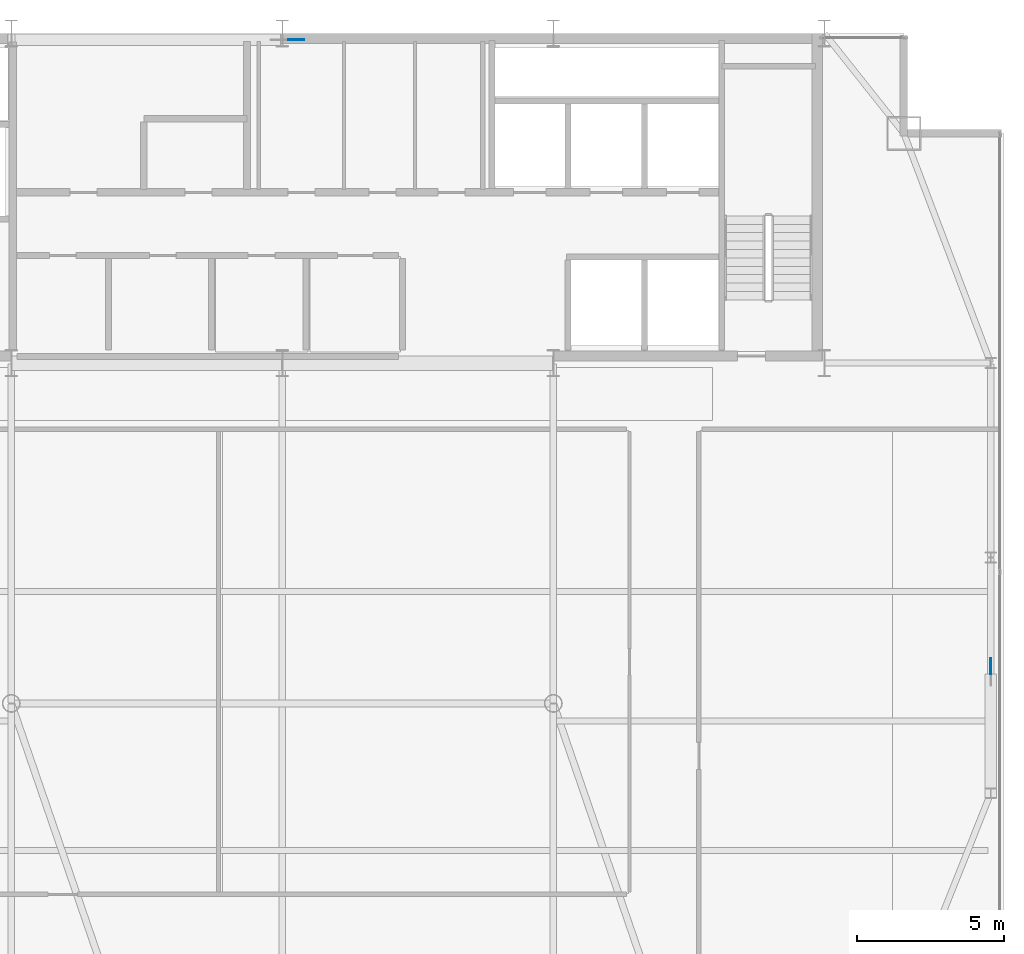
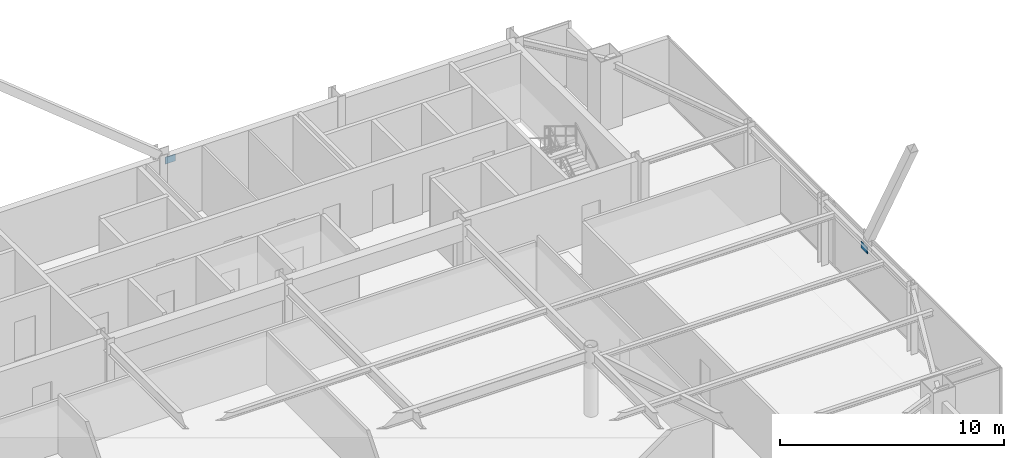
# One storey, part 23 of 27: 2 plates.
"""IFC4 building model written with IfcOpenShell, lengths in metres."""

from ifc_helpers import new_model, si_unit, direction, frame, origin, origin_2d, place, context, subcontext, project, spatial, rectangle, extrude, source, transform, mapped, material, layer, layer_set, type_object, type_shapes, element, save


model = new_model("IFC4")

# Units and contexts
model_context = context("Model", 3, precision=1e-05, world=origin(), true_north=direction((0.0, 1.0)))
body_context = subcontext(model_context, "Body", "Model", "MODEL_VIEW")
ifc_project = project(units=[si_unit("LENGTHUNIT", "METRE"), si_unit("AREAUNIT", "SQUARE_METRE"), si_unit("VOLUMEUNIT", "CUBIC_METRE"), si_unit("PLANEANGLEUNIT", "RADIAN"), si_unit("MASSUNIT", "GRAM", prefix="KILO")], contexts=[model_context])

# Site, building, storey
site_placement = place(None, origin())
site = spatial("IfcSite", under=ifc_project, at=site_placement, CompositionType="ELEMENT")
building_placement = place(site_placement, origin())
building = spatial("IfcBuilding", under=site, at=building_placement, Name="Varnel Quay Broadcast Tower", CompositionType="ELEMENT")
storey_placement = place(building_placement, frame((0.0, 0.0, 203.60009765625)))
storey = spatial("IfcBuildingStorey", under=building, at=storey_placement, Name="L50", CompositionType="ELEMENT", Elevation=203.60009765625)

# Plates
ifc_material = material(Name="Structural Steel CSA G40.21 350WT", Category="steel")
ifc_layer = layer(ifc_material, 0.031982421875, Name="Structural Steel CSA G40.21 350WT")
ifc_layer_set = layer_set([ifc_layer], Name="Structural Steel CSA G40.21 350WT")
plate_type = type_object("IfcPlateType", Name="Plate_EndCap", PredefinedType="USERDEFINED", material=ifc_layer_set)
shared_shape = source(origin(), body_context, "Body", "SweptSolid", [
    extrude(rectangle(XDim=0.5400390625, YDim=0.031982421875, at=origin_2d()), origin(), (0.0, 0.0, 1.0), 0.3798828125),
])
type_shapes(plate_type, [shared_shape])
for number, where, z_axis, x_axis, name in (
    (1, (34.475830078125, 46.580078125, 3.099365234375), (0.0, 0.0, 1.0), (1.0, 0.0, 0.0), "Zone 4 Mega-Brace N-CT1 Diag B1 End Connection Plate P1"),
    (2, (58.050048828125, 25.306640625, 2.91357421875), (0.0, 0.0, 1.0), (0.0, 1.0, 0.0), "Zone 4 Mega-Brace E-FT1 Diag B1 End Connection Plate P1"),
):
    element("IfcPlate", number, at=place(storey_placement, frame(where, z_axis=z_axis, x_axis=x_axis)), inside=storey, type_object=plate_type, Name=name, ObjectType="CAP_PLATE", PredefinedType="USERDEFINED", context=body_context, shape_type="MappedRepresentation", body=[
        mapped(shared_shape, transform((0.0, 0.0, 0.0), x_axis=(1.0, 0.0, 0.0), y_axis=(0.0, 1.0, 0.0), z_axis=(0.0, 0.0, 1.0), scale=1.0)),
    ])

save(model, "model.ifc")
